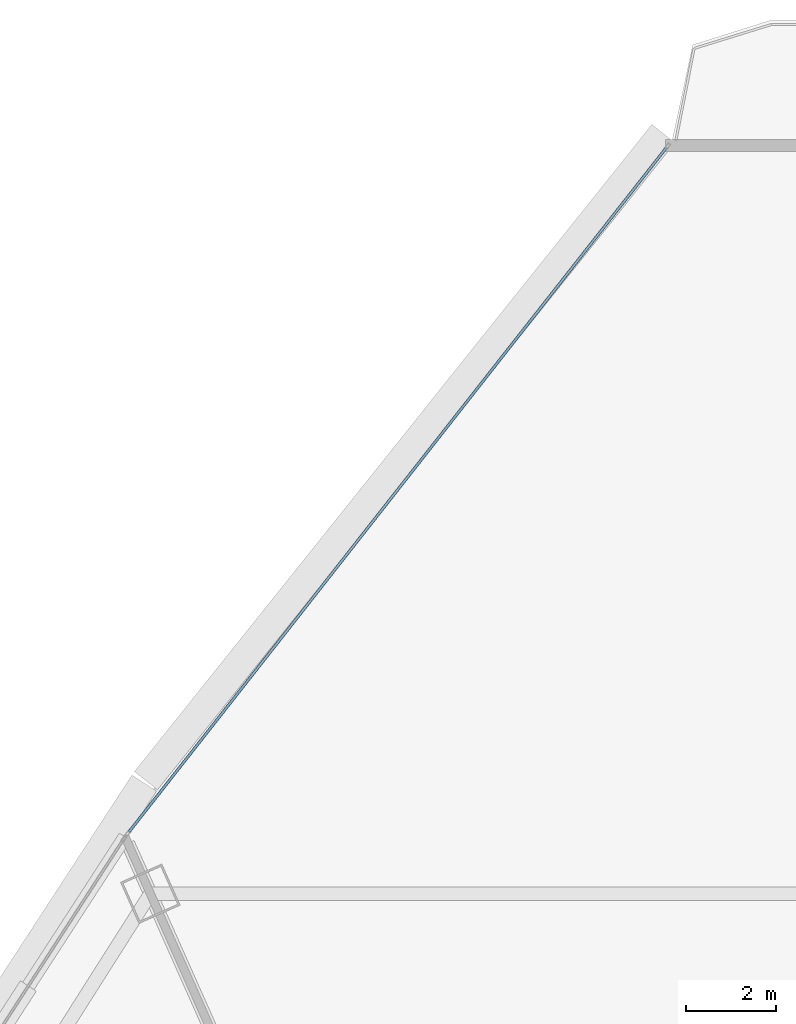
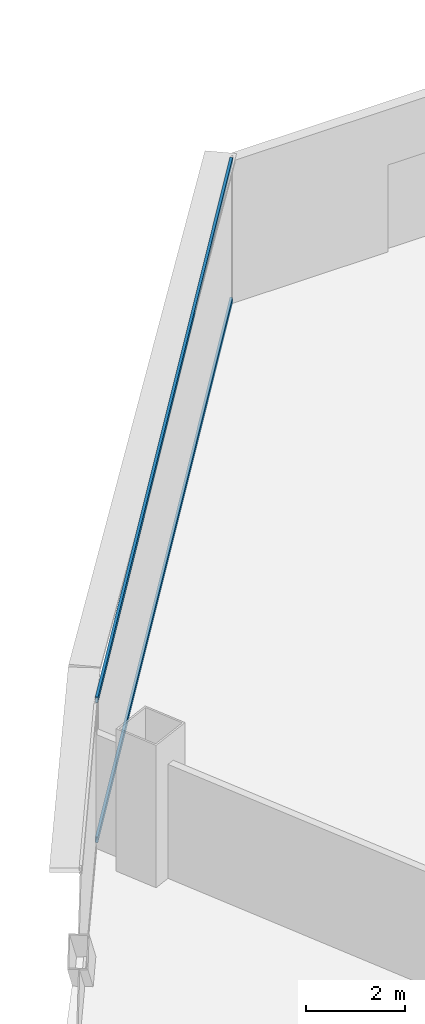
# One storey, part 27 of 41: 2 members, 1 element without a shape of its own.
"""IFC4 building model written with IfcOpenShell, lengths in metres."""

from ifc_helpers import new_model, si_unit, direction, frame, origin, origin_2d, place, context, subcontext, project, spatial, hollow_rectangle, extrude, source, transform, mapped, material, layer, layer_set, material_profile, profile_set, type_object, element, aggregate, save


model = new_model("IFC4")

# Units and contexts
model_context = context("Model", 3, precision=1e-05, world=origin(), true_north=direction((0.0, 1.0)))
body_context = subcontext(model_context, "Body", "Model", "MODEL_VIEW")
ifc_project = project(units=[si_unit("LENGTHUNIT", "METRE"), si_unit("AREAUNIT", "SQUARE_METRE"), si_unit("VOLUMEUNIT", "CUBIC_METRE"), si_unit("PLANEANGLEUNIT", "RADIAN"), si_unit("MASSUNIT", "GRAM", prefix="KILO"), si_unit("THERMODYNAMICTEMPERATUREUNIT", "KELVIN"), si_unit("POWERUNIT", "WATT")], contexts=[model_context])

# Site, building, storey
site_placement = place(None, origin())
site = spatial("IfcSite", under=ifc_project, at=site_placement, CompositionType="ELEMENT")
building_placement = place(site_placement, origin())
building = spatial("IfcBuilding", under=site, at=building_placement, Name="Yunzhuo Pagoda Commons", CompositionType="ELEMENT")
storey_placement = place(building_placement, frame((0.0, 0.0, 115.3798828125)))
storey = spatial("IfcBuildingStorey", under=building, at=storey_placement, Name="L29", CompositionType="ELEMENT", Elevation=115.3798828125)

# Curtain wall, members
ifc_material = material(Name="Anodized aluminium 6063-T6", Category="aluminium")
ifc_layer = layer(ifc_material, 0.1650390625)
ifc_layer_set = layer_set([ifc_layer], Name="Anodized aluminium 6063-T6")
curtain_wall_type = type_object("IfcCurtainWallType", Name="CW-LOW Low-Zone Ribbon Curtain Wall", PredefinedType="NOTDEFINED", material=ifc_layer_set)
curtain_wall_placement = place(storey_placement, origin())
curtain_wall = element("IfcCurtainWall", 1, at=curtain_wall_placement, inside=storey, type_object=curtain_wall_type, Name="L29 curtain wall CW-L29-F3B1", PredefinedType="NOTDEFINED")
ifc_material_profile = material_profile(ifc_material, hollow_rectangle(XDim=0.06005859375, YDim=0.139892578125, WallThickness=0.00341796875, at=origin_2d()), Name="Anodized aluminium 6063-T6")
ifc_profile_set = profile_set([ifc_material_profile], Name="Anodized aluminium 6063-T6")
member_type = type_object("IfcMemberType", Name="CW-LOW-T Transom RHS 140x60x3.5", PredefinedType="USERDEFINED", material=ifc_profile_set)
shared_shape = source(origin(), body_context, "Body", "SweptSolid", [
    extrude(hollow_rectangle(XDim=0.06005859375, YDim=0.139892578125, WallThickness=0.00341796875, at=origin_2d()), origin(), (0.0, 0.0, 1.0), 19.26220703125),
])
member_1_placement = place(storey_placement, frame((43.483154296875, 86.022705078125, 0.030029296875), z_axis=(-0.617722469161, -0.786396179475, 0.0), x_axis=(0.786396179475, -0.617722469161, 0.0)))
member_1 = element("IfcMember", 2, at=member_1_placement, type_object=member_type, Name="CW transom 1.1", ObjectType="TRANSOM", PredefinedType="USERDEFINED", context=body_context, shape_type="MappedRepresentation", body=[
    mapped(shared_shape, transform((0.0, 0.0, 0.0), scale=1.0)),
])
member_2_placement = place(storey_placement, frame((43.483154296875, 86.022705078125, 3.490234375), z_axis=(-0.617722469161, -0.786396179475, 0.0), x_axis=(0.786396179475, -0.617722469161, 0.0)))
member_2 = element("IfcMember", 3, at=member_2_placement, type_object=member_type, Name="CW transom 1.2", ObjectType="TRANSOM", PredefinedType="USERDEFINED", context=body_context, shape_type="MappedRepresentation", body=[
    mapped(shared_shape, transform((0.0, 0.0, 0.0), scale=1.0)),
])
aggregate(curtain_wall, [member_1, member_2])

save(model, "model.ifc")
